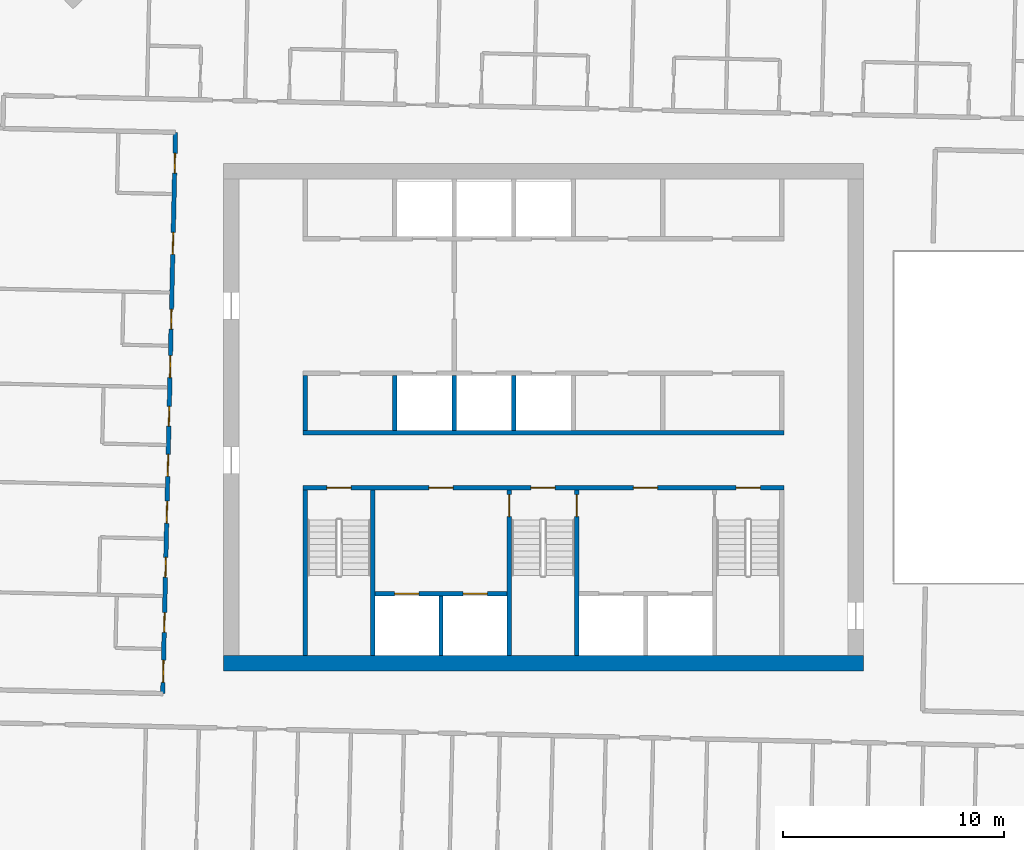
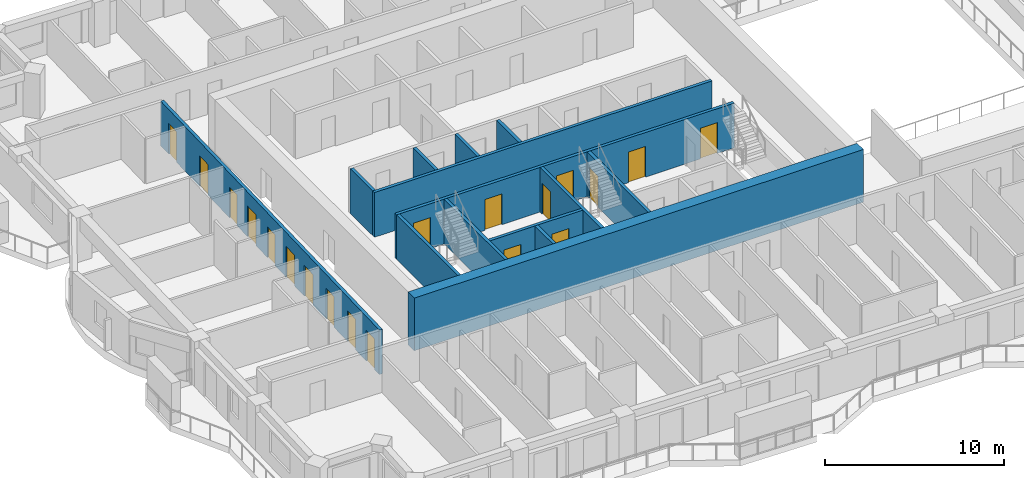
# One storey, part 8 of 17: 19 doors, 14 walls, 19 openings.
"""IFC4 building model written with IfcOpenShell, lengths in metres."""

from ifc_helpers import new_model, si_unit, direction, frame, frame_2d, origin, place, context, subcontext, project, spatial, rectangle, extrude, material, layer, layer_set, type_object, element, fill, save


model = new_model("IFC4")

# Units and contexts
model_context = context("Model", 3, precision=1e-05, world=origin(), true_north=direction((0.0, 1.0)))
body_context = subcontext(model_context, "Body", "Model", "MODEL_VIEW")
ifc_project = project(units=[si_unit("LENGTHUNIT", "METRE"), si_unit("AREAUNIT", "SQUARE_METRE"), si_unit("VOLUMEUNIT", "CUBIC_METRE"), si_unit("PLANEANGLEUNIT", "RADIAN"), si_unit("MASSUNIT", "GRAM", prefix="KILO")], contexts=[model_context])

# Site, building, storey
site_placement = place(None, origin())
site = spatial("IfcSite", under=ifc_project, at=site_placement, CompositionType="ELEMENT")
building_placement = place(site_placement, origin())
building = spatial("IfcBuilding", under=site, at=building_placement, Name="Mangrove Gate Tower", CompositionType="ELEMENT")
storey_placement = place(building_placement, frame((0.0, 0.0, 268.10009765625)))
storey = spatial("IfcBuildingStorey", under=building, at=storey_placement, Name="L68", CompositionType="ELEMENT", Elevation=268.10009765625)

# Walls
ifc_material_1 = material(Name="Concrete C32/40", Category="concrete")
ifc_layer_1 = layer(ifc_material_1, 0.199951171875)
ifc_layer_set_1 = layer_set([ifc_layer_1], Name="Core room wall 200 C32/40")
wall_type_1 = type_object("IfcWallType", Name="Core room wall 200 C32/40", PredefinedType="STANDARD", material=ifc_layer_set_1)
wall_1_placement = place(storey_placement, frame((-10.800048828125, -0.60009765625, 0.0), z_axis=(0.0, 0.0, 1.0), x_axis=(0.0, 1.0, 0.0)))
element("IfcWall", 1, at=wall_1_placement, inside=storey, type_object=wall_type_1, Name="WALL-L68-CORE-19", PredefinedType="STANDARD", context=body_context, shape_type="SweptSolid", body=[
    extrude(rectangle(XDim=2.5, YDim=0.199951171875, at=frame_2d((1.25, 0.0))), origin(), (0.0, 0.0, 1.0), 3.0498046875),
])
ifc_material_2 = material(Name="Concrete C50/60", Category="concrete")
ifc_layer_2 = layer(ifc_material_2, 0.199951171875)
ifc_layer_set_2 = layer_set([ifc_layer_2], Name="Core shaft wall 200 C50/60")
wall_type_2 = type_object("IfcWallType", Name="Core shaft wall 200 C50/60", PredefinedType="SHEAR", material=ifc_layer_set_2)
wall_2_placement = place(storey_placement, frame((-10.89990234375, -0.699951171875, 0.0), z_axis=(0.0, 0.0, 1.0), x_axis=(1.0, 0.0, 0.0)))
element("IfcWall", 2, at=wall_2_placement, inside=storey, type_object=wall_type_2, Name="WALL-L68-CORE-6", PredefinedType="SHEAR", context=body_context, shape_type="SweptSolid", body=[
    extrude(rectangle(XDim=21.7998046875, YDim=0.199951171875, at=frame_2d((10.89990234375, 0.0))), origin(), (0.0, 0.0, 1.0), 3.0498046875),
])

# Wall, openings, doors
wall_3_placement = place(storey_placement, frame((-7.64990234375, -8.0, 0.0), z_axis=(0.0, 0.0, 1.0), x_axis=(1.0, 0.0, 0.0)))
wall_3 = element("IfcWall", 3, at=wall_3_placement, inside=storey, type_object=wall_type_2, Name="WALL-L68-CORE-15", PredefinedType="SHEAR", context=body_context, shape_type="SweptSolid", body=[
    extrude(rectangle(XDim=6.0, YDim=0.199951171875, at=frame_2d((3.0, 0.0))), origin(), (0.0, 0.0, 1.0), 3.0498046875),
])
opening_1_placement = place(wall_3_placement, frame((0.89990234375, 0.0, 0.0)))
opening_1 = element("IfcOpeningElement", 4, at=opening_1_placement, cuts=wall_3, Name="Opening LD", PredefinedType="OPENING", context=body_context, shape_type="SweptSolid", body=[
    extrude(rectangle(XDim=1.10009765625, YDim=2.10009765625, at=frame_2d((0.550048828125, 1.050048828125))), frame((0.0, 0.10986328125, 0.0), z_axis=(0.0, -1.0, 0.0), x_axis=(1.0, 0.0, 0.0)), (0.0, 0.0, 1.0), 0.219970703125),
])
opening_2_placement = place(wall_3_placement, frame((4.0, 0.0, 0.0)))
opening_2 = element("IfcOpeningElement", 5, at=opening_2_placement, cuts=wall_3, Name="Opening LD", PredefinedType="OPENING", context=body_context, shape_type="SweptSolid", body=[
    extrude(rectangle(XDim=1.10009765625, YDim=2.10009765625, at=frame_2d((0.550048828125, 1.050048828125))), frame((0.0, 0.10986328125, 0.0), z_axis=(0.0, -1.0, 0.0), x_axis=(1.0, 0.0, 0.0)), (0.0, 0.0, 1.0), 0.219970703125),
])
ifc_material_3 = material(Name="Stainless steel 316", Category="steel")
door_type_1 = type_object("IfcDoorType", Name="Lift landing door 1100x2100", OperationType="SLIDING_TO_LEFT", PredefinedType="DOOR", material=ifc_material_3)
door_1_placement = place(opening_1_placement, origin())
door_1 = element("IfcDoor", 6, at=door_1_placement, inside=storey, type_object=door_type_1, Name="Landing door LD SVL1", OperationType="SLIDING_TO_LEFT", OverallHeight=2.10009765625, OverallWidth=1.10009765625, PredefinedType="DOOR", context=body_context, shape_type="SweptSolid", body=[
    extrude(rectangle(XDim=1.10009765625, YDim=2.10009765625, at=frame_2d((0.550048828125, 1.050048828125))), frame((0.0, 0.02490234375, 0.0), z_axis=(0.0, -1.0, 0.0), x_axis=(1.0, 0.0, 0.0)), (0.0, 0.0, 1.0), 0.050048828125),
])
fill(opening_1, door_1)
door_2_placement = place(opening_2_placement, origin())
door_2 = element("IfcDoor", 7, at=door_2_placement, inside=storey, type_object=door_type_1, Name="Landing door LD SVL2", OperationType="SLIDING_TO_LEFT", OverallHeight=2.10009765625, OverallWidth=1.10009765625, PredefinedType="DOOR", context=body_context, shape_type="SweptSolid", body=[
    extrude(rectangle(XDim=1.10009765625, YDim=2.10009765625, at=frame_2d((0.550048828125, 1.050048828125))), frame((0.0, 0.02490234375, 0.0), z_axis=(0.0, -1.0, 0.0), x_axis=(1.0, 0.0, 0.0)), (0.0, 0.0, 1.0), 0.050048828125),
])
fill(opening_2, door_2)

# Walls
wall_4_placement = place(storey_placement, frame((-4.64990234375, -10.800048828125, 0.0), z_axis=(0.0, 0.0, 1.0), x_axis=(0.0, 1.0, 0.0)))
element("IfcWall", 8, at=wall_4_placement, inside=storey, type_object=wall_type_2, Name="WALL-L68-CORE-16", PredefinedType="SHEAR", context=body_context, shape_type="SweptSolid", body=[
    extrude(rectangle(XDim=2.699951171875, YDim=0.199951171875, at=frame_2d((1.35009765625, 0.0))), origin(), (0.0, 0.0, 1.0), 3.0498046875),
])
for number, where, z_axis, x_axis, name in (
    (9, (-6.75, -0.60009765625, 0.0), (0.0, 0.0, 1.0), (0.0, 1.0, 0.0), "WALL-L68-CORE-20"),
    (10, (-4.050048828125, -0.60009765625, 0.0), (0.0, 0.0, 1.0), (0.0, 1.0, 0.0), "WALL-L68-CORE-21"),
    (11, (-1.35009765625, -0.60009765625, 0.0), (0.0, 0.0, 1.0), (0.0, 1.0, 0.0), "WALL-L68-CORE-22"),
):
    element("IfcWall", number, at=place(storey_placement, frame(where, z_axis=z_axis, x_axis=x_axis)), inside=storey, type_object=wall_type_2, Name=name, PredefinedType="SHEAR", context=body_context, shape_type="SweptSolid", body=[
        extrude(rectangle(XDim=2.5, YDim=0.199951171875, at=frame_2d((1.25, 0.0))), origin(), (0.0, 0.0, 1.0), 3.0498046875),
    ])

# Wall, openings, doors
ifc_material_4 = material(Name="Concrete C50/60", Category="concrete")
ifc_layer_3 = layer(ifc_material_4, 0.199951171875)
ifc_layer_set_3 = layer_set([ifc_layer_3], Name="Core stair wall 200 C50/60")
wall_type_3 = type_object("IfcWallType", Name="Core stair wall 200 C50/60", PredefinedType="SHEAR", material=ifc_layer_set_3)
wall_5_placement = place(storey_placement, frame((-10.89990234375, -3.199951171875, 0.0), z_axis=(0.0, 0.0, 1.0), x_axis=(1.0, 0.0, 0.0)))
wall_5 = element("IfcWall", 12, at=wall_5_placement, inside=storey, type_object=wall_type_3, Name="WALL-L68-CORE-5", PredefinedType="SHEAR", context=body_context, shape_type="SweptSolid", body=[
    extrude(rectangle(XDim=21.7998046875, YDim=0.199951171875, at=frame_2d((10.89990234375, 0.0))), origin(), (0.0, 0.0, 1.0), 3.0498046875),
])
opening_3_placement = place(wall_5_placement, frame((1.074951171875, 0.0, 0.0)))
opening_3 = element("IfcOpeningElement", 13, at=opening_3_placement, cuts=wall_5, Name="Opening STD11", PredefinedType="OPENING", context=body_context, shape_type="SweptSolid", body=[
    extrude(rectangle(XDim=1.10009765625, YDim=2.10009765625, at=frame_2d((0.550048828125, 1.050048828125))), frame((0.0, 0.10986328125, 0.0), z_axis=(0.0, -1.0, 0.0), x_axis=(1.0, 0.0, 0.0)), (0.0, 0.0, 1.0), 0.219970703125),
])
opening_4_placement = place(wall_5_placement, frame((10.324951171875, 0.0, 0.0)))
opening_4 = element("IfcOpeningElement", 14, at=opening_4_placement, cuts=wall_5, Name="Opening STD11", PredefinedType="OPENING", context=body_context, shape_type="SweptSolid", body=[
    extrude(rectangle(XDim=1.10009765625, YDim=2.10009765625, at=frame_2d((0.550048828125, 1.050048828125))), frame((0.0, 0.10986328125, 0.0), z_axis=(0.0, -1.0, 0.0), x_axis=(1.0, 0.0, 0.0)), (0.0, 0.0, 1.0), 0.219970703125),
])
opening_5_placement = place(wall_5_placement, frame((19.625, 0.0, 0.0)))
opening_5 = element("IfcOpeningElement", 15, at=opening_5_placement, cuts=wall_5, Name="Opening STD11", PredefinedType="OPENING", context=body_context, shape_type="SweptSolid", body=[
    extrude(rectangle(XDim=1.10009765625, YDim=2.10009765625, at=frame_2d((0.550048828125, 1.050048828125))), frame((0.0, 0.10986328125, 0.0), z_axis=(0.0, -1.0, 0.0), x_axis=(1.0, 0.0, 0.0)), (0.0, 0.0, 1.0), 0.219970703125),
])
opening_6_placement = place(wall_5_placement, frame((5.699951171875, 0.0, 0.0)))
opening_6 = element("IfcOpeningElement", 16, at=opening_6_placement, cuts=wall_5, Name="Opening FL", PredefinedType="OPENING", context=body_context, shape_type="SweptSolid", body=[
    extrude(rectangle(XDim=1.10009765625, YDim=2.10009765625, at=frame_2d((0.550048828125, 1.050048828125))), frame((0.0, 0.10986328125, 0.0), z_axis=(0.0, -1.0, 0.0), x_axis=(1.0, 0.0, 0.0)), (0.0, 0.0, 1.0), 0.219970703125),
])
opening_7_placement = place(wall_5_placement, frame((14.97509765625, 0.0, 0.0)))
opening_7 = element("IfcOpeningElement", 17, at=opening_7_placement, cuts=wall_5, Name="Opening FL", PredefinedType="OPENING", context=body_context, shape_type="SweptSolid", body=[
    extrude(rectangle(XDim=1.10009765625, YDim=2.10009765625, at=frame_2d((0.550048828125, 1.050048828125))), frame((0.0, 0.10986328125, 0.0), z_axis=(0.0, -1.0, 0.0), x_axis=(1.0, 0.0, 0.0)), (0.0, 0.0, 1.0), 0.219970703125),
])
ifc_material_5 = material(Name="Fire-rated steel door set", Category="steel")
door_type_2 = type_object("IfcDoorType", Name="Lobby door FD60 1100x2100", OperationType="SINGLE_SWING_LEFT", PredefinedType="DOOR", material=ifc_material_5)
door_3_placement = place(opening_6_placement, origin())
door_3 = element("IfcDoor", 18, at=door_3_placement, inside=storey, type_object=door_type_2, Name="Lobby door service lobby", OperationType="SINGLE_SWING_LEFT", OverallHeight=2.10009765625, OverallWidth=1.10009765625, PredefinedType="DOOR", context=body_context, shape_type="SweptSolid", body=[
    extrude(rectangle(XDim=1.10009765625, YDim=2.10009765625, at=frame_2d((0.550048828125, 1.050048828125))), frame((0.0, 0.02490234375, 0.0), z_axis=(0.0, -1.0, 0.0), x_axis=(1.0, 0.0, 0.0)), (0.0, 0.0, 1.0), 0.050048828125),
])
fill(opening_6, door_3)
door_4_placement = place(opening_7_placement, origin())
door_4 = element("IfcDoor", 19, at=door_4_placement, inside=storey, type_object=door_type_2, Name="Lobby door fire-fighting lobby", OperationType="SINGLE_SWING_LEFT", OverallHeight=2.10009765625, OverallWidth=1.10009765625, PredefinedType="DOOR", context=body_context, shape_type="SweptSolid", body=[
    extrude(rectangle(XDim=1.10009765625, YDim=2.10009765625, at=frame_2d((0.550048828125, 1.050048828125))), frame((0.0, 0.02490234375, 0.0), z_axis=(0.0, -1.0, 0.0), x_axis=(1.0, 0.0, 0.0)), (0.0, 0.0, 1.0), 0.050048828125),
])
fill(opening_7, door_4)
ifc_material_6 = material(Name="Fire-rated steel door set", Category="steel")
door_type_3 = type_object("IfcDoorType", Name="Stair door FD60 1100x2100", OperationType="SINGLE_SWING_RIGHT", PredefinedType="DOOR", material=ifc_material_6)
door_5_placement = place(opening_3_placement, origin())
door_5 = element("IfcDoor", 20, at=door_5_placement, inside=storey, type_object=door_type_3, Name="Stair door Stair 1", OperationType="SINGLE_SWING_RIGHT", OverallHeight=2.10009765625, OverallWidth=1.10009765625, PredefinedType="DOOR", context=body_context, shape_type="SweptSolid", body=[
    extrude(rectangle(XDim=1.10009765625, YDim=2.10009765625, at=frame_2d((0.550048828125, 1.050048828125))), frame((0.0, 0.02490234375, 0.0), z_axis=(0.0, -1.0, 0.0), x_axis=(1.0, 0.0, 0.0)), (0.0, 0.0, 1.0), 0.050048828125),
])
fill(opening_3, door_5)
door_6_placement = place(opening_4_placement, origin())
door_6 = element("IfcDoor", 21, at=door_6_placement, inside=storey, type_object=door_type_3, Name="Stair door Stair 2", OperationType="SINGLE_SWING_RIGHT", OverallHeight=2.10009765625, OverallWidth=1.10009765625, PredefinedType="DOOR", context=body_context, shape_type="SweptSolid", body=[
    extrude(rectangle(XDim=1.10009765625, YDim=2.10009765625, at=frame_2d((0.550048828125, 1.050048828125))), frame((0.0, 0.02490234375, 0.0), z_axis=(0.0, -1.0, 0.0), x_axis=(1.0, 0.0, 0.0)), (0.0, 0.0, 1.0), 0.050048828125),
])
fill(opening_4, door_6)
door_7_placement = place(opening_5_placement, origin())
door_7 = element("IfcDoor", 22, at=door_7_placement, inside=storey, type_object=door_type_3, Name="Stair door Stair 3", OperationType="SINGLE_SWING_RIGHT", OverallHeight=2.10009765625, OverallWidth=1.10009765625, PredefinedType="DOOR", context=body_context, shape_type="SweptSolid", body=[
    extrude(rectangle(XDim=1.10009765625, YDim=2.10009765625, at=frame_2d((0.550048828125, 1.050048828125))), frame((0.0, 0.02490234375, 0.0), z_axis=(0.0, -1.0, 0.0), x_axis=(1.0, 0.0, 0.0)), (0.0, 0.0, 1.0), 0.050048828125),
])
fill(opening_5, door_7)

# Walls
for number, where, z_axis, x_axis, name in (
    (23, (-10.800048828125, -10.800048828125, 0.0), (0.0, 0.0, 1.0), (0.0, 1.0, 0.0), "WALL-L68-CORE-9"),
    (24, (-7.75, -10.800048828125, 0.0), (0.0, 0.0, 1.0), (0.0, 1.0, 0.0), "WALL-L68-CORE-10"),
):
    element("IfcWall", number, at=place(storey_placement, frame(where, z_axis=z_axis, x_axis=x_axis)), inside=storey, type_object=wall_type_3, Name=name, PredefinedType="SHEAR", context=body_context, shape_type="SweptSolid", body=[
        extrude(rectangle(XDim=7.5, YDim=0.199951171875, at=frame_2d((3.75, 0.0))), origin(), (0.0, 0.0, 1.0), 3.0498046875),
    ])

# Wall, opening, door
wall_6_placement = place(storey_placement, frame((-1.550048828125, -10.800048828125, 0.0), z_axis=(0.0, 0.0, 1.0), x_axis=(0.0, 1.0, 0.0)))
wall_6 = element("IfcWall", 25, at=wall_6_placement, inside=storey, type_object=wall_type_3, Name="WALL-L68-CORE-11", PredefinedType="SHEAR", context=body_context, shape_type="SweptSolid", body=[
    extrude(rectangle(XDim=7.5, YDim=0.199951171875, at=frame_2d((3.75, 0.0))), origin(), (0.0, 0.0, 1.0), 3.0498046875),
])
opening_8_placement = place(wall_6_placement, frame((6.300048828125, 0.0, 0.0)))
opening_8 = element("IfcOpeningElement", 26, at=opening_8_placement, cuts=wall_6, Name="Opening STD10", PredefinedType="OPENING", context=body_context, shape_type="SweptSolid", body=[
    extrude(rectangle(XDim=1.0, YDim=2.10009765625, at=frame_2d((0.5, 1.050048828125))), frame((0.0, 0.10986328125, 0.0), z_axis=(0.0, -1.0, 0.0), x_axis=(1.0, 0.0, 0.0)), (0.0, 0.0, 1.0), 0.219970703125),
])
ifc_material_7 = material(Name="Fire-rated steel door set", Category="steel")
door_type_4 = type_object("IfcDoorType", Name="Stair door FD60 1000x2100", OperationType="SINGLE_SWING_RIGHT", PredefinedType="DOOR", material=ifc_material_7)
door_8_placement = place(opening_8_placement, origin())
door_8 = element("IfcDoor", 27, at=door_8_placement, inside=storey, type_object=door_type_4, Name="Stair door Stair 2 from service lobby", OperationType="SINGLE_SWING_RIGHT", OverallHeight=2.10009765625, OverallWidth=1.0, PredefinedType="DOOR", context=body_context, shape_type="SweptSolid", body=[
    extrude(rectangle(XDim=1.0, YDim=2.10009765625, at=frame_2d((0.5, 1.050048828125))), frame((0.0, 0.02490234375, 0.0), z_axis=(0.0, -1.0, 0.0), x_axis=(1.0, 0.0, 0.0)), (0.0, 0.0, 1.0), 0.050048828125),
])
fill(opening_8, door_8)

wall_7_placement = place(storey_placement, frame((1.5, -10.800048828125, 0.0), z_axis=(0.0, 0.0, 1.0), x_axis=(0.0, 1.0, 0.0)))
wall_7 = element("IfcWall", 28, at=wall_7_placement, inside=storey, type_object=wall_type_3, Name="WALL-L68-CORE-12", PredefinedType="SHEAR", context=body_context, shape_type="SweptSolid", body=[
    extrude(rectangle(XDim=7.5, YDim=0.199951171875, at=frame_2d((3.75, 0.0))), origin(), (0.0, 0.0, 1.0), 3.0498046875),
])
opening_9_placement = place(wall_7_placement, frame((6.300048828125, 0.0, 0.0)))
opening_9 = element("IfcOpeningElement", 29, at=opening_9_placement, cuts=wall_7, Name="Opening STD10", PredefinedType="OPENING", context=body_context, shape_type="SweptSolid", body=[
    extrude(rectangle(XDim=1.0, YDim=2.10009765625, at=frame_2d((0.5, 1.050048828125))), frame((0.0, 0.10986328125, 0.0), z_axis=(0.0, -1.0, 0.0), x_axis=(1.0, 0.0, 0.0)), (0.0, 0.0, 1.0), 0.219970703125),
])
door_9_placement = place(opening_9_placement, origin())
door_9 = element("IfcDoor", 30, at=door_9_placement, inside=storey, type_object=door_type_4, Name="Stair door Stair 2 from fire-fighting lobby", OperationType="SINGLE_SWING_RIGHT", OverallHeight=2.10009765625, OverallWidth=1.0, PredefinedType="DOOR", context=body_context, shape_type="SweptSolid", body=[
    extrude(rectangle(XDim=1.0, YDim=2.10009765625, at=frame_2d((0.5, 1.050048828125))), frame((0.0, 0.02490234375, 0.0), z_axis=(0.0, -1.0, 0.0), x_axis=(1.0, 0.0, 0.0)), (0.0, 0.0, 1.0), 0.050048828125),
])
fill(opening_9, door_9)

# Wall
ifc_material_8 = material(Name="Concrete C50/60", Category="concrete")
ifc_layer_4 = layer(ifc_material_8, 0.699951171875)
ifc_layer_set_4 = layer_set([ifc_layer_4], Name="Core wall 700 C50/60")
wall_type_4 = type_object("IfcWallType", Name="Core wall 700 C50/60", PredefinedType="SHEAR", material=ifc_layer_set_4)
wall_8_placement = place(storey_placement, frame((-14.5, -11.14990234375, 0.0), z_axis=(0.0, 0.0, 1.0), x_axis=(1.0, 0.0, 0.0)))
element("IfcWall", 31, at=wall_8_placement, inside=storey, type_object=wall_type_4, Name="WALL-L68-CORE-1", PredefinedType="SHEAR", context=body_context, shape_type="SweptSolid", body=[
    extrude(rectangle(XDim=29.0, YDim=0.699951171875, at=frame_2d((14.5, 0.0))), origin(), (0.0, 0.0, 1.0), 3.599853515625),
])

# Wall, openings, doors
ifc_material_9 = material(Name="Gypsum board on steel stud, EI 60", Category="steel")
ifc_layer_5 = layer(ifc_material_9, 0.199951171875)
ifc_layer_set_5 = layer_set([ifc_layer_5], Name="Corridor wall EI 60")
wall_type_5 = type_object("IfcWallType", Name="Corridor wall EI 60", PredefinedType="PARTITIONING", material=ifc_layer_set_5)
wall_9_placement = place(storey_placement, frame((-17.261962890625, -12.52490234375, 0.0), z_axis=(0.0, 0.0, 1.0), x_axis=(0.022706151961, 0.999742182097, 0.0)))
wall_9 = element("IfcWall", 32, at=wall_9_placement, inside=storey, type_object=wall_type_5, Name="WALL-L68-031", PredefinedType="PARTITIONING", context=body_context, shape_type="SweptSolid", body=[
    extrude(rectangle(XDim=25.450439453125, YDim=0.199951171875, at=frame_2d((12.72509765625, 0.0))), origin(), (0.0, 0.0, 1.0), 3.0498046875),
])
opening_10_placement = place(wall_9_placement, frame((19.9130859375, 0.0, 0.0)))
opening_10 = element("IfcOpeningElement", 33, at=opening_10_placement, cuts=wall_9, Name="Opening AD", PredefinedType="OPENING", context=body_context, shape_type="SweptSolid", body=[
    extrude(rectangle(XDim=1.0, YDim=2.10009765625, at=frame_2d((0.5, 1.050048828125))), frame((0.0, 0.10986328125, 0.0), z_axis=(0.0, -1.0, 0.0), x_axis=(1.0, 0.0, 0.0)), (0.0, 0.0, 1.0), 0.219970703125),
])
opening_11_placement = place(wall_9_placement, frame((23.60009765625, 0.0, 0.0)))
opening_11 = element("IfcOpeningElement", 34, at=opening_11_placement, cuts=wall_9, Name="Opening SD", PredefinedType="OPENING", context=body_context, shape_type="SweptSolid", body=[
    extrude(rectangle(XDim=0.89990234375, YDim=2.10009765625, at=frame_2d((0.449951171875, 1.050048828125))), frame((0.0, 0.10986328125, 0.0), z_axis=(0.0, -1.0, 0.0), x_axis=(1.0, 0.0, 0.0)), (0.0, 0.0, 1.0), 0.219970703125),
])
opening_12_placement = place(wall_9_placement, frame((14.324951171875, 0.0, 0.0)))
opening_12 = element("IfcOpeningElement", 35, at=opening_12_placement, cuts=wall_9, Name="Opening AD", PredefinedType="OPENING", context=body_context, shape_type="SweptSolid", body=[
    extrude(rectangle(XDim=1.0, YDim=2.10009765625, at=frame_2d((0.5, 1.050048828125))), frame((0.0, 0.10986328125, 0.0), z_axis=(0.0, -1.0, 0.0), x_axis=(1.0, 0.0, 0.0)), (0.0, 0.0, 1.0), 0.219970703125),
])
opening_13_placement = place(wall_9_placement, frame((16.52490234375, 0.0, 0.0)))
opening_13 = element("IfcOpeningElement", 36, at=opening_13_placement, cuts=wall_9, Name="Opening SD", PredefinedType="OPENING", context=body_context, shape_type="SweptSolid", body=[
    extrude(rectangle(XDim=0.89990234375, YDim=2.10009765625, at=frame_2d((0.449951171875, 1.050048828125))), frame((0.0, 0.10986328125, 0.0), z_axis=(0.0, -1.0, 0.0), x_axis=(1.0, 0.0, 0.0)), (0.0, 0.0, 1.0), 0.219970703125),
])
opening_14_placement = place(wall_9_placement, frame((9.85009765625, 0.0, 0.0)))
opening_14 = element("IfcOpeningElement", 37, at=opening_14_placement, cuts=wall_9, Name="Opening AD", PredefinedType="OPENING", context=body_context, shape_type="SweptSolid", body=[
    extrude(rectangle(XDim=1.0, YDim=2.10009765625, at=frame_2d((0.5, 1.050048828125))), frame((0.0, 0.10986328125, 0.0), z_axis=(0.0, -1.0, 0.0), x_axis=(1.0, 0.0, 0.0)), (0.0, 0.0, 1.0), 0.219970703125),
])
opening_15_placement = place(wall_9_placement, frame((12.125, 0.0, 0.0)))
opening_15 = element("IfcOpeningElement", 38, at=opening_15_placement, cuts=wall_9, Name="Opening SD", PredefinedType="OPENING", context=body_context, shape_type="SweptSolid", body=[
    extrude(rectangle(XDim=0.89990234375, YDim=2.10009765625, at=frame_2d((0.449951171875, 1.050048828125))), frame((0.0, 0.10986328125, 0.0), z_axis=(0.0, -1.0, 0.0), x_axis=(1.0, 0.0, 0.0)), (0.0, 0.0, 1.0), 0.219970703125),
])
opening_16_placement = place(wall_9_placement, frame((7.72509765625, 0.0, 0.0)))
opening_16 = element("IfcOpeningElement", 39, at=opening_16_placement, cuts=wall_9, Name="Opening AD", PredefinedType="OPENING", context=body_context, shape_type="SweptSolid", body=[
    extrude(rectangle(XDim=1.0, YDim=2.10009765625, at=frame_2d((0.5, 1.050048828125))), frame((0.0, 0.10986328125, 0.0), z_axis=(0.0, -1.0, 0.0), x_axis=(1.0, 0.0, 0.0)), (0.0, 0.0, 1.0), 0.219970703125),
])
opening_17_placement = place(wall_9_placement, frame((5.27490234375, 0.0, 0.0)))
opening_17 = element("IfcOpeningElement", 40, at=opening_17_placement, cuts=wall_9, Name="Opening SD", PredefinedType="OPENING", context=body_context, shape_type="SweptSolid", body=[
    extrude(rectangle(XDim=0.89990234375, YDim=2.10009765625, at=frame_2d((0.449951171875, 1.050048828125))), frame((0.0, 0.10986328125, 0.0), z_axis=(0.0, -1.0, 0.0), x_axis=(1.0, 0.0, 0.0)), (0.0, 0.0, 1.0), 0.219970703125),
])
opening_18_placement = place(wall_9_placement, frame((0.511962890625, 0.0, 0.0)))
opening_18 = element("IfcOpeningElement", 41, at=opening_18_placement, cuts=wall_9, Name="Opening AD", PredefinedType="OPENING", context=body_context, shape_type="SweptSolid", body=[
    extrude(rectangle(XDim=1.0, YDim=2.10009765625, at=frame_2d((0.5, 1.050048828125))), frame((0.0, 0.10986328125, 0.0), z_axis=(0.0, -1.0, 0.0), x_axis=(1.0, 0.0, 0.0)), (0.0, 0.0, 1.0), 0.219970703125),
])
opening_19_placement = place(wall_9_placement, frame((2.77490234375, 0.0, 0.0)))
opening_19 = element("IfcOpeningElement", 42, at=opening_19_placement, cuts=wall_9, Name="Opening SD", PredefinedType="OPENING", context=body_context, shape_type="SweptSolid", body=[
    extrude(rectangle(XDim=0.89990234375, YDim=2.10009765625, at=frame_2d((0.449951171875, 1.050048828125))), frame((0.0, 0.10986328125, 0.0), z_axis=(0.0, -1.0, 0.0), x_axis=(1.0, 0.0, 0.0)), (0.0, 0.0, 1.0), 0.219970703125),
])
ifc_material_10 = material(Name="Timber door leaf", Category="wood")
door_type_5 = type_object("IfcDoorType", Name="Amenity door 1000", OperationType="SINGLE_SWING_LEFT", PredefinedType="DOOR", material=ifc_material_10)
door_10_placement = place(opening_10_placement, origin())
door_10 = element("IfcDoor", 43, at=door_10_placement, inside=storey, type_object=door_type_5, Name="DOOR-L68-LNG-c5a", OperationType="SINGLE_SWING_LEFT", OverallHeight=2.10009765625, OverallWidth=1.0, PredefinedType="DOOR", context=body_context, shape_type="SweptSolid", body=[
    extrude(rectangle(XDim=1.0, YDim=2.10009765625, at=frame_2d((0.5, 1.050048828125))), frame((0.0, 0.02490234375, 0.0), z_axis=(0.0, -1.0, 0.0), x_axis=(1.0, 0.0, 0.0)), (0.0, 0.0, 1.0), 0.050048828125),
])
fill(opening_10, door_10)
door_11_placement = place(opening_12_placement, origin())
door_11 = element("IfcDoor", 44, at=door_11_placement, inside=storey, type_object=door_type_5, Name="DOOR-L68-KIT-c5b", OperationType="SINGLE_SWING_RIGHT", OverallHeight=2.10009765625, OverallWidth=1.0, PredefinedType="DOOR", context=body_context, shape_type="SweptSolid", body=[
    extrude(rectangle(XDim=1.0, YDim=2.10009765625, at=frame_2d((0.5, 1.050048828125))), frame((0.0, 0.02490234375, 0.0), z_axis=(0.0, -1.0, 0.0), x_axis=(1.0, 0.0, 0.0)), (0.0, 0.0, 1.0), 0.050048828125),
])
fill(opening_12, door_11)
door_12_placement = place(opening_14_placement, origin())
door_12 = element("IfcDoor", 45, at=door_12_placement, inside=storey, type_object=door_type_5, Name="DOOR-L68-STU-c5a", OperationType="SINGLE_SWING_LEFT", OverallHeight=2.10009765625, OverallWidth=1.0, PredefinedType="DOOR", context=body_context, shape_type="SweptSolid", body=[
    extrude(rectangle(XDim=1.0, YDim=2.10009765625, at=frame_2d((0.5, 1.050048828125))), frame((0.0, 0.02490234375, 0.0), z_axis=(0.0, -1.0, 0.0), x_axis=(1.0, 0.0, 0.0)), (0.0, 0.0, 1.0), 0.050048828125),
])
fill(opening_14, door_12)
door_13_placement = place(opening_16_placement, origin())
door_13 = element("IfcDoor", 46, at=door_13_placement, inside=storey, type_object=door_type_5, Name="DOOR-L68-GAM-c5a", OperationType="SINGLE_SWING_RIGHT", OverallHeight=2.10009765625, OverallWidth=1.0, PredefinedType="DOOR", context=body_context, shape_type="SweptSolid", body=[
    extrude(rectangle(XDim=1.0, YDim=2.10009765625, at=frame_2d((0.5, 1.050048828125))), frame((0.0, 0.02490234375, 0.0), z_axis=(0.0, -1.0, 0.0), x_axis=(1.0, 0.0, 0.0)), (0.0, 0.0, 1.0), 0.050048828125),
])
fill(opening_16, door_13)
door_14_placement = place(opening_18_placement, origin())
door_14 = element("IfcDoor", 47, at=door_14_placement, inside=storey, type_object=door_type_5, Name="DOOR-L68-LNG-c5b", OperationType="SINGLE_SWING_LEFT", OverallHeight=2.10009765625, OverallWidth=1.0, PredefinedType="DOOR", context=body_context, shape_type="SweptSolid", body=[
    extrude(rectangle(XDim=1.0, YDim=2.10009765625, at=frame_2d((0.5, 1.050048828125))), frame((0.0, 0.02490234375, 0.0), z_axis=(0.0, -1.0, 0.0), x_axis=(1.0, 0.0, 0.0)), (0.0, 0.0, 1.0), 0.050048828125),
])
fill(opening_18, door_14)
ifc_material_11 = material(Name="Timber door leaf", Category="wood")
door_type_6 = type_object("IfcDoorType", Name="Service room door 900", OperationType="SINGLE_SWING_LEFT", PredefinedType="DOOR", material=ifc_material_11)
door_15_placement = place(opening_11_placement, origin())
door_15 = element("IfcDoor", 48, at=door_15_placement, inside=storey, type_object=door_type_6, Name="DOOR-L68-LDY-c5a", OperationType="SINGLE_SWING_LEFT", OverallHeight=2.10009765625, OverallWidth=0.89990234375, PredefinedType="DOOR", context=body_context, shape_type="SweptSolid", body=[
    extrude(rectangle(XDim=0.89990234375, YDim=2.10009765625, at=frame_2d((0.449951171875, 1.050048828125))), frame((0.0, 0.02490234375, 0.0), z_axis=(0.0, -1.0, 0.0), x_axis=(1.0, 0.0, 0.0)), (0.0, 0.0, 1.0), 0.050048828125),
])
fill(opening_11, door_15)
door_16_placement = place(opening_13_placement, origin())
door_16 = element("IfcDoor", 49, at=door_16_placement, inside=storey, type_object=door_type_6, Name="DOOR-L68-LIN-c5a", OperationType="SINGLE_SWING_RIGHT", OverallHeight=2.10009765625, OverallWidth=0.89990234375, PredefinedType="DOOR", context=body_context, shape_type="SweptSolid", body=[
    extrude(rectangle(XDim=0.89990234375, YDim=2.10009765625, at=frame_2d((0.449951171875, 1.050048828125))), frame((0.0, 0.02490234375, 0.0), z_axis=(0.0, -1.0, 0.0), x_axis=(1.0, 0.0, 0.0)), (0.0, 0.0, 1.0), 0.050048828125),
])
fill(opening_13, door_16)
door_17_placement = place(opening_15_placement, origin())
door_17 = element("IfcDoor", 50, at=door_17_placement, inside=storey, type_object=door_type_6, Name="DOOR-L68-AWC-c5a", OperationType="SINGLE_SWING_LEFT", OverallHeight=2.10009765625, OverallWidth=0.89990234375, PredefinedType="DOOR", context=body_context, shape_type="SweptSolid", body=[
    extrude(rectangle(XDim=0.89990234375, YDim=2.10009765625, at=frame_2d((0.449951171875, 1.050048828125))), frame((0.0, 0.02490234375, 0.0), z_axis=(0.0, -1.0, 0.0), x_axis=(1.0, 0.0, 0.0)), (0.0, 0.0, 1.0), 0.050048828125),
])
fill(opening_15, door_17)
door_18_placement = place(opening_17_placement, origin())
door_18 = element("IfcDoor", 51, at=door_18_placement, inside=storey, type_object=door_type_6, Name="DOOR-L68-AWC-c5b", OperationType="SINGLE_SWING_RIGHT", OverallHeight=2.10009765625, OverallWidth=0.89990234375, PredefinedType="DOOR", context=body_context, shape_type="SweptSolid", body=[
    extrude(rectangle(XDim=0.89990234375, YDim=2.10009765625, at=frame_2d((0.449951171875, 1.050048828125))), frame((0.0, 0.02490234375, 0.0), z_axis=(0.0, -1.0, 0.0), x_axis=(1.0, 0.0, 0.0)), (0.0, 0.0, 1.0), 0.050048828125),
])
fill(opening_17, door_18)
door_19_placement = place(opening_19_placement, origin())
door_19 = element("IfcDoor", 52, at=door_19_placement, inside=storey, type_object=door_type_6, Name="DOOR-L68-LIN-c5b", OperationType="SINGLE_SWING_LEFT", OverallHeight=2.10009765625, OverallWidth=0.89990234375, PredefinedType="DOOR", context=body_context, shape_type="SweptSolid", body=[
    extrude(rectangle(XDim=0.89990234375, YDim=2.10009765625, at=frame_2d((0.449951171875, 1.050048828125))), frame((0.0, 0.02490234375, 0.0), z_axis=(0.0, -1.0, 0.0), x_axis=(1.0, 0.0, 0.0)), (0.0, 0.0, 1.0), 0.050048828125),
])
fill(opening_19, door_19)

save(model, "model.ifc")
